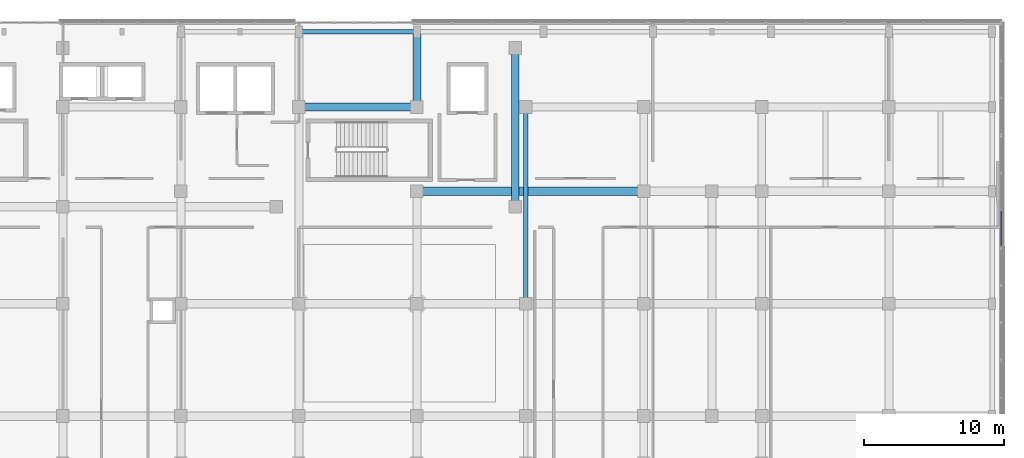
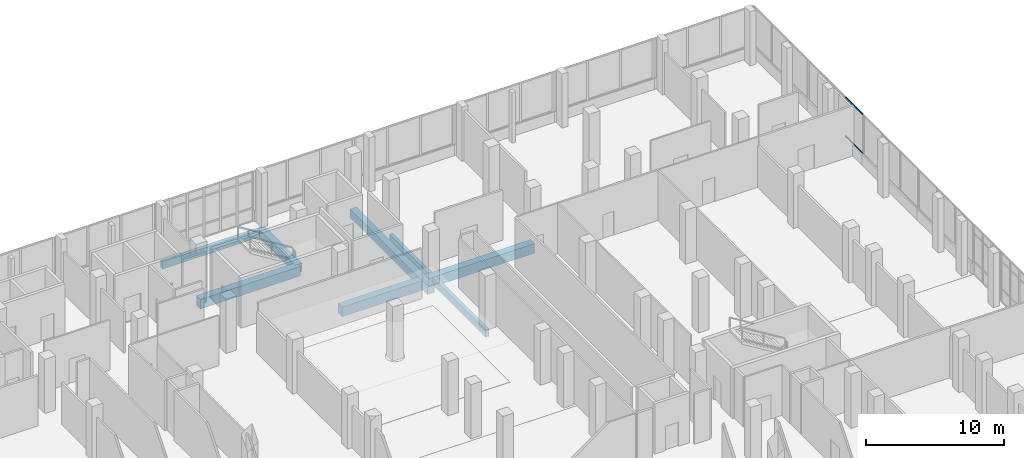
# One storey, part 114 of 168: 6 beams, 2 members, 1 element without a shape of its own.
"""IFC4 building model written with IfcOpenShell, lengths in metres."""

from ifc_helpers import new_model, si_unit, direction, frame, origin, origin_2d, place, context, subcontext, project, spatial, rectangle, hollow_rectangle, extrude, material, material_profile, profile_set, type_object, element, aggregate, save


model = new_model("IFC4")

# Units and contexts
model_context = context("Model", 3, precision=1e-05, world=origin(), true_north=direction((0.0, 1.0)))
body_context = subcontext(model_context, "Body", "Model", "MODEL_VIEW")
ifc_project = project(units=[si_unit("LENGTHUNIT", "METRE"), si_unit("AREAUNIT", "SQUARE_METRE"), si_unit("VOLUMEUNIT", "CUBIC_METRE"), si_unit("PLANEANGLEUNIT", "RADIAN"), si_unit("MASSUNIT", "GRAM", prefix="KILO")], contexts=[model_context])

# Site, building, storey
site_placement = place(None, origin())
site = spatial("IfcSite", under=ifc_project, at=site_placement, CompositionType="ELEMENT")
building_placement = place(site_placement, origin())
building = spatial("IfcBuilding", under=site, at=building_placement, Name="Selatvlak General Hospital", CompositionType="ELEMENT")
storey_placement = place(building_placement, frame((0.0, 0.0, 5.39990234375)))
storey = spatial("IfcBuildingStorey", under=building, at=storey_placement, Name="L01", CompositionType="ELEMENT", Elevation=5.39990234375)

# Beams
ifc_material_1 = material(Name="Concrete C40/50", Category="concrete")
ifc_material_profile_1 = material_profile(ifc_material_1, rectangle(XDim=0.60009765625, YDim=0.85009765625, at=origin_2d()), Name="RC-BM 600x850")
ifc_profile_set_1 = profile_set([ifc_material_profile_1], Name="Concrete C40/50")
beam_type_1 = type_object("IfcBeamType", Name="BM-G01", PredefinedType="BEAM", material=ifc_profile_set_1)
beam_1_placement = place(storey_placement, frame((140.39990234375, 108.0, -0.744873046875), z_axis=(1.0, 0.0, 0.0), x_axis=(0.0, 1.0, 0.0)))
element("IfcBeam", 1, at=beam_1_placement, inside=storey, type_object=beam_type_1, Name="Beam BMR-L01-0506", PredefinedType="BEAM", context=body_context, shape_type="SweptSolid", body=[
    extrude(rectangle(XDim=0.60009765625, YDim=0.85009765625, at=origin_2d()), origin(), (0.0, 0.0, 1.0), 16.150146484375),
])
beam_2_placement = place(storey_placement, frame((132.0, 114.0, -0.744873046875), z_axis=(1.0, 0.0, 0.0), x_axis=(0.0, 1.0, 0.0)))
element("IfcBeam", 2, at=beam_2_placement, inside=storey, type_object=beam_type_1, Name="Beam BMR-L01-0519", PredefinedType="BEAM", context=body_context, shape_type="SweptSolid", body=[
    extrude(rectangle(XDim=0.60009765625, YDim=0.85009765625, at=origin_2d()), origin(), (0.0, 0.0, 1.0), 8.39990234375),
])
ifc_material_profile_2 = material_profile(ifc_material_1, rectangle(XDim=0.550048828125, YDim=0.75, at=origin_2d()), Name="RC-BM 550x750")
ifc_profile_set_2 = profile_set([ifc_material_profile_2], Name="Concrete C40/50")
beam_type_2 = type_object("IfcBeamType", Name="BM-G02", PredefinedType="BEAM", material=ifc_profile_set_2)
beam_3_placement = place(storey_placement, frame((140.39990234375, 114.0, -0.69482421875), z_axis=(0.0, 1.0, 0.0), x_axis=(-1.0, 0.0, 0.0)))
element("IfcBeam", 3, at=beam_3_placement, inside=storey, type_object=beam_type_2, Name="Beam BMR-L01-0647", PredefinedType="BEAM", context=body_context, shape_type="SweptSolid", body=[
    extrude(rectangle(XDim=0.550048828125, YDim=0.75, at=origin_2d()), origin(), (0.0, 0.0, 1.0), 5.35009765625),
])
beam_4_placement = place(storey_placement, frame((147.39990234375, 106.89990234375, -0.69482421875), z_axis=(0.0, 1.0, 0.0), x_axis=(-1.0, 0.0, 0.0)))
element("IfcBeam", 4, at=beam_4_placement, inside=storey, type_object=beam_type_2, Name="Beam BMR-L01-0648", PredefinedType="BEAM", context=body_context, shape_type="SweptSolid", body=[
    extrude(rectangle(XDim=0.550048828125, YDim=0.75, at=origin_2d()), origin(), (0.0, 0.0, 1.0), 11.300048828125),
])
ifc_material_profile_3 = material_profile(ifc_material_1, rectangle(XDim=0.300048828125, YDim=0.64990234375, at=origin_2d()), Name="RC-SP 300x650")
ifc_profile_set_3 = profile_set([ifc_material_profile_3], Name="Concrete C40/50")
beam_type_3 = type_object("IfcBeamType", Name="BM-SP1", PredefinedType="SPANDREL", material=ifc_profile_set_3)
beam_5_placement = place(storey_placement, frame((132.0, 119.35009765625, -0.64501953125), z_axis=(1.0, 0.0, 0.0), x_axis=(0.0, 1.0, 0.0)))
element("IfcBeam", 5, at=beam_5_placement, inside=storey, type_object=beam_type_3, Name="Beam BMR-L01-0534", PredefinedType="SPANDREL", context=body_context, shape_type="SweptSolid", body=[
    extrude(rectangle(XDim=0.300048828125, YDim=0.64990234375, at=origin_2d()), origin(), (0.0, 0.0, 1.0), 8.39990234375),
])
beam_6_placement = place(storey_placement, frame((148.14990234375, 100.0, -0.64501953125), z_axis=(0.0, 1.0, 0.0), x_axis=(-1.0, 0.0, 0.0)))
element("IfcBeam", 6, at=beam_6_placement, inside=storey, type_object=beam_type_3, Name="Beam BMR-L01-0655", PredefinedType="SPANDREL", context=body_context, shape_type="SweptSolid", body=[
    extrude(rectangle(XDim=0.300048828125, YDim=0.64990234375, at=origin_2d()), origin(), (0.0, 0.0, 1.0), 14.0),
])

# Curtain wall, members
ifc_material_2 = material(Name="Solar-control Low-E double glazing", Category="glass")
curtain_wall_type = type_object("IfcCurtainWallType", Name="CW-CW-02", PredefinedType="USERDEFINED", material=ifc_material_2)
curtain_wall_placement = place(storey_placement, origin())
curtain_wall = element("IfcCurtainWall", 7, at=curtain_wall_placement, inside=storey, type_object=curtain_wall_type, Name="Glazed facade curtain wall CW-L01-0133", ObjectType="UNITISED CURTAIN WALL", PredefinedType="USERDEFINED")
ifc_material_3 = material(Name="Dark anodised aluminium mullion", Category="aluminium")
ifc_material_profile_4 = material_profile(ifc_material_3, hollow_rectangle(XDim=0.06494140625, YDim=0.1201171875, WallThickness=0.00390625, at=origin_2d()), Name="AL-TRN 65x120x4")
ifc_profile_set_4 = profile_set([ifc_material_profile_4], Name="Dark anodised aluminium mullion")
member_type = type_object("IfcMemberType", Name="CWT-01", PredefinedType="USERDEFINED", material=ifc_profile_set_4)
member_1_placement = place(storey_placement, frame((181.999755859375, 106.623046875, 0.97265625), z_axis=(9.6043027e-05, -0.999999995388, 0.0), x_axis=(0.999999995388, 9.6043027e-05, 0.0)))
member_1 = element("IfcMember", 8, at=member_1_placement, type_object=member_type, Name="CW-02 transom 3.1", ObjectType="TRANSOM", PredefinedType="USERDEFINED", context=body_context, shape_type="SweptSolid", body=[
    extrude(hollow_rectangle(XDim=0.06494140625, YDim=0.1201171875, WallThickness=0.00390625, at=origin_2d()), origin(), (0.0, 0.0, 1.0), 2.5419921875),
])
member_2_placement = place(storey_placement, frame((181.999755859375, 106.623046875, 4.41259765625), z_axis=(9.6043027e-05, -0.999999995388, 0.0), x_axis=(0.999999995388, 9.6043027e-05, 0.0)))
member_2 = element("IfcMember", 9, at=member_2_placement, type_object=member_type, Name="CW-02 transom 3.2", ObjectType="TRANSOM", PredefinedType="USERDEFINED", context=body_context, shape_type="SweptSolid", body=[
    extrude(hollow_rectangle(XDim=0.06494140625, YDim=0.1201171875, WallThickness=0.00390625, at=origin_2d()), origin(), (0.0, 0.0, 1.0), 2.5419921875),
])
aggregate(curtain_wall, [member_1, member_2])

save(model, "model.ifc")
